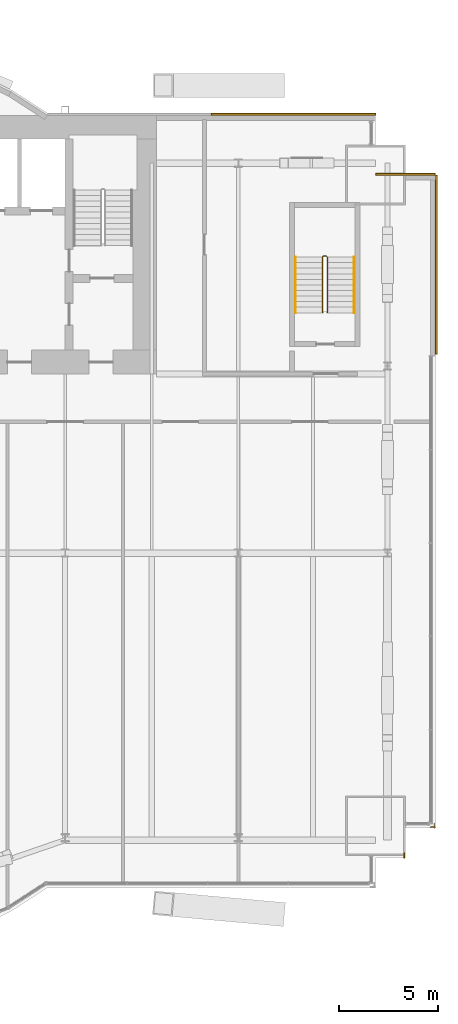
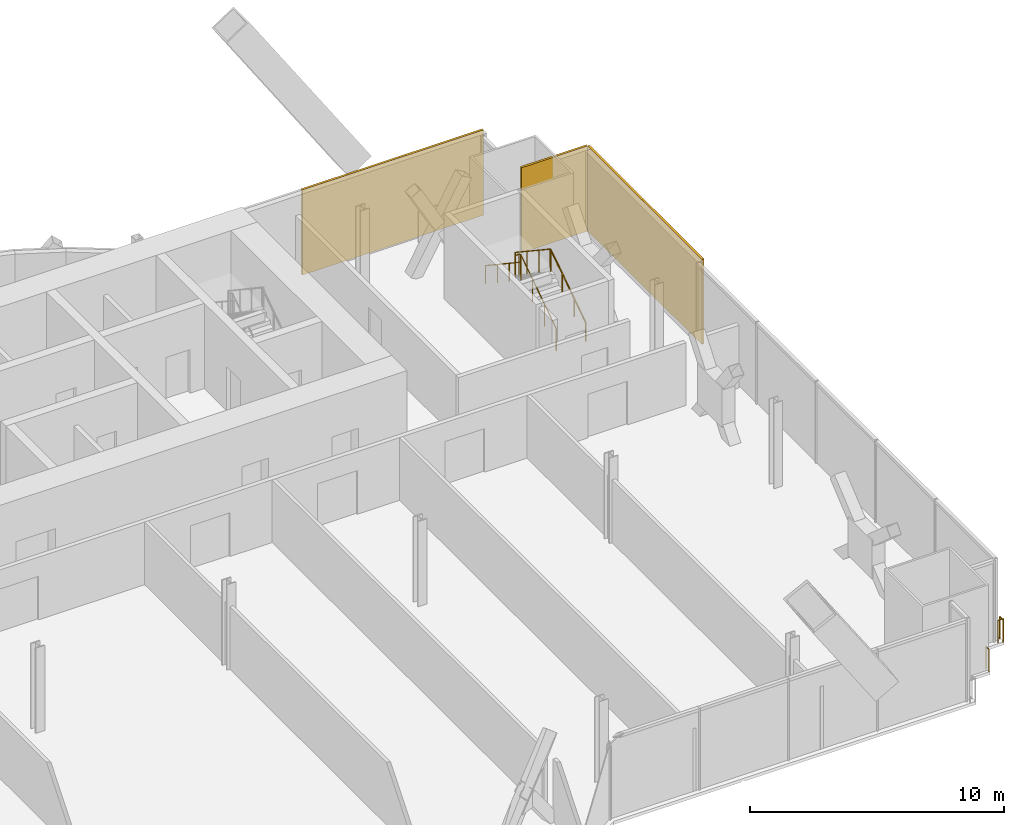
# One storey, part 22 of 22: 5 railings, 3 coverings.
"""IFC4 building model written with IfcOpenShell, lengths in metres."""

from ifc_helpers import new_model, si_unit, direction, frame, origin, origin_2d, place, context, subcontext, project, spatial, rectangle, circle, extrude, material, layer, layer_set, type_object, element, save


model = new_model("IFC4")

# Units and contexts
model_context = context("Model", 3, precision=1e-05, world=origin(), true_north=direction((0.0, 1.0)))
body_context = subcontext(model_context, "Body", "Model", "MODEL_VIEW")
ifc_project = project(units=[si_unit("LENGTHUNIT", "METRE"), si_unit("AREAUNIT", "SQUARE_METRE"), si_unit("VOLUMEUNIT", "CUBIC_METRE"), si_unit("PLANEANGLEUNIT", "RADIAN"), si_unit("MASSUNIT", "GRAM", prefix="KILO")], contexts=[model_context])

# Site, building, storey
site_placement = place(None, origin())
site = spatial("IfcSite", under=ifc_project, at=site_placement, CompositionType="ELEMENT")
building_placement = place(site_placement, origin())
building = spatial("IfcBuilding", under=site, at=building_placement, Name="Bicima Exchange Tower", CompositionType="ELEMENT")
storey_placement = place(building_placement, frame((0.0, 0.0, 94.0)))
storey = spatial("IfcBuildingStorey", under=building, at=storey_placement, Name="L19", CompositionType="ELEMENT", Elevation=94.0)

# Coverings
ifc_material_1 = material(Name="Bronze metal cladding")
ifc_layer_1 = layer(ifc_material_1, 0.004)
ifc_material_2 = material(Name="Ventilated cavity")
ifc_layer_2 = layer(ifc_material_2, 0.06)
ifc_material_3 = material(Name="Galvanised steel rail and mineral wool", Category="steel")
ifc_layer_3 = layer(ifc_material_3, 0.036)
ifc_layer_set = layer_set([ifc_layer_1, ifc_layer_2, ifc_layer_3], Name="Ventilated cavity")
covering_type = type_object("IfcCoveringType", Name="Bronze metal cladding panel 100", PredefinedType="CLADDING", material=ifc_layer_set)
covering_1_placement = place(storey_placement, frame((28.875, 0.050048828125, -0.150146484375), z_axis=(0.0, 0.0, 1.0), x_axis=(-1.0, 0.0, 0.0)))
element("IfcCovering", 1, at=covering_1_placement, inside=storey, type_object=covering_type, Name="Bronze cladding L19 1.1", PredefinedType="CLADDING", context=body_context, shape_type="SweptSolid", body=[
    extrude(rectangle(XDim=8.25, YDim=0.10009765625, at=origin_2d()), origin(), (0.0, 0.0, 1.0), 4.10009765625),
])
covering_2_placement = place(storey_placement, frame((36.050048828125, -7.5, -0.150146484375), z_axis=(0.0, 0.0, 1.0), x_axis=(0.0, 1.0, 0.0)))
element("IfcCovering", 2, at=covering_2_placement, inside=storey, type_object=covering_type, Name="Bronze cladding L19 50.1", PredefinedType="CLADDING", context=body_context, shape_type="SweptSolid", body=[
    extrude(rectangle(XDim=9.0, YDim=0.10009765625, at=origin_2d()), origin(), (0.0, 0.0, 1.0), 4.10009765625),
])
covering_3_placement = place(storey_placement, frame((34.5, -2.949951171875, -0.150146484375), z_axis=(0.0, 0.0, 1.0), x_axis=(-1.0, 0.0, 0.0)))
element("IfcCovering", 3, at=covering_3_placement, inside=storey, type_object=covering_type, Name="Bronze cladding L19 51.1", PredefinedType="CLADDING", context=body_context, shape_type="SweptSolid", body=[
    extrude(rectangle(XDim=3.0, YDim=0.10009765625, at=origin_2d()), origin(), (0.0, 0.0, 1.0), 4.10009765625),
])

# Railings
ifc_material_4 = material(Name="Stainless steel and bonded safety glass", Category="steel")
railing_type_1 = type_object("IfcRailingType", Name="Edge guard 1100", PredefinedType="GUARDRAIL", material=ifc_material_4)
railing_1_placement = place(storey_placement, frame((35.949951171875, -35.5791015625, 0.0)))
element("IfcRailing", 4, at=railing_1_placement, inside=storey, type_object=railing_type_1, Name="Edge guard L19 86", PredefinedType="GUARDRAIL", context=body_context, shape_type="SweptSolid", body=[
    extrude(circle(Radius=0.02392578125, at=origin_2d()), frame((0.0, 0.0, 1.076171875), z_axis=(0.0, -1.0, 0.0), x_axis=(1.0, 0.0, 0.0)), (0.0, 0.0, 1.0), 0.248779296875),
    extrude(circle(Radius=0.02392578125, at=origin_2d()), frame((0.0, -0.248779296875, 1.076171875), z_axis=(0.708833529934, 0.705375805398, 0.0), x_axis=(-0.705375805398, 0.708833529934, 0.0)), (0.0, 0.0, 1.0), 0.070556640625),
    extrude(circle(Radius=0.02392578125, at=origin_2d()), frame((0.050048828125, -0.198974609375, 1.076171875), z_axis=(-1.0, 0.0, 0.0), x_axis=(0.0, -1.0, 0.0)), (0.0, 0.0, 1.0), 0.25),
    extrude(circle(Radius=0.02099609375, at=origin_2d()), origin(), (0.0, 0.0, 1.0), 1.052001953125),
    extrude(circle(Radius=0.02099609375, at=origin_2d()), frame((0.0, -0.248779296875, 0.0)), (0.0, 0.0, 1.0), 1.052001953125),
    extrude(circle(Radius=0.02099609375, at=origin_2d()), frame((0.050048828125, -0.198974609375, 0.0)), (0.0, 0.0, 1.0), 1.052001953125),
    extrude(circle(Radius=0.02099609375, at=origin_2d()), frame((-0.199951171875, -0.198974609375, 0.0)), (0.0, 0.0, 1.0), 1.052001953125),
])
railing_2_placement = place(storey_placement, frame((34.449951171875, -37.077880859375, 0.0)))
element("IfcRailing", 5, at=railing_2_placement, inside=storey, type_object=railing_type_1, Name="Edge guard L19 87", PredefinedType="GUARDRAIL", context=body_context, shape_type="SweptSolid", body=[
    extrude(circle(Radius=0.02392578125, at=origin_2d()), frame((0.0, 0.0, 1.076171875), z_axis=(0.0, -1.0, 0.0), x_axis=(1.0, 0.0, 0.0)), (0.0, 0.0, 1.0), 0.25),
    extrude(circle(Radius=0.02099609375, at=origin_2d()), origin(), (0.0, 0.0, 1.0), 1.052001953125),
    extrude(circle(Radius=0.02099609375, at=origin_2d()), frame((0.0, -0.25, 0.0)), (0.0, 0.0, 1.0), 1.052001953125),
])
ifc_material_5 = material(Name="Stainless steel", Category="steel")
railing_type_2 = type_object("IfcRailingType", Name="Stair guard 1100", PredefinedType="GUARDRAIL", material=ifc_material_5)
railing_3_placement = place(storey_placement, frame((30.574951171875, -9.925048828125, 0.186279296875)))
element("IfcRailing", 6, at=railing_3_placement, inside=storey, type_object=railing_type_2, Name="L19 ST-EE stair guard 1", PredefinedType="GUARDRAIL", context=body_context, shape_type="SweptSolid", body=[
    extrude(circle(Radius=0.02392578125, at=origin_2d()), frame((0.0, 0.0, 1.076171875), z_axis=(0.0, 0.832452072856, 0.554097055034), x_axis=(-1.0, 0.0, 0.0)), (0.0, 0.0, 1.0), 3.363525390625),
    extrude(circle(Radius=0.02392578125, at=origin_2d()), frame((0.0, 2.800048828125, 2.93994140625), z_axis=(-0.707106781187, 0.707106781187, 0.0), x_axis=(-0.707106781187, -0.707106781187, 0.0)), (0.0, 0.0, 1.0), 0.07080078125),
    extrude(circle(Radius=0.02392578125, at=origin_2d()), frame((-0.050048828125, 2.85009765625, 2.93994140625), z_axis=(-1.0, 0.0, 0.0), x_axis=(0.0, -1.0, 0.0)), (0.0, 0.0, 1.0), 0.14990234375),
    extrude(circle(Radius=0.02392578125, at=origin_2d()), frame((-0.199951171875, 2.85009765625, 2.93994140625), z_axis=(-0.251157038772, -0.251157038772, 0.934794246747), x_axis=(0.707106781187, -0.707106781187, 0.0)), (0.0, 0.0, 1.0), 0.19921875),
    extrude(circle(Radius=0.02392578125, at=origin_2d()), frame((-0.25, 2.800048828125, 3.1259765625), z_axis=(0.0, -0.832452072856, 0.554097055034), x_axis=(1.0, 0.0, 0.0)), (0.0, 0.0, 1.0), 3.363525390625),
    extrude(circle(Radius=0.02099609375, at=origin_2d()), origin(), (0.0, 0.0, 1.0), 1.052001953125),
    extrude(circle(Radius=0.02099609375, at=origin_2d()), frame((0.0, 0.933349609375, 0.621337890625)), (0.0, 0.0, 1.0), 1.052001953125),
    extrude(circle(Radius=0.02099609375, at=origin_2d()), frame((0.0, 1.86669921875, 1.242431640625)), (0.0, 0.0, 1.0), 1.052001953125),
    extrude(circle(Radius=0.02099609375, at=origin_2d()), frame((0.0, 2.800048828125, 1.86376953125)), (0.0, 0.0, 1.0), 1.052001953125),
    extrude(circle(Radius=0.02099609375, at=origin_2d()), frame((-0.050048828125, 2.85009765625, 1.86376953125)), (0.0, 0.0, 1.0), 1.052001953125),
    extrude(circle(Radius=0.02099609375, at=origin_2d()), frame((-0.199951171875, 2.85009765625, 1.86376953125)), (0.0, 0.0, 1.0), 1.052001953125),
    extrude(circle(Radius=0.02099609375, at=origin_2d()), frame((-0.25, 2.800048828125, 2.050048828125)), (0.0, 0.0, 1.0), 1.052001953125),
    extrude(circle(Radius=0.02099609375, at=origin_2d()), frame((-0.25, 1.86669921875, 2.67138671875)), (0.0, 0.0, 1.0), 1.052001953125),
    extrude(circle(Radius=0.02099609375, at=origin_2d()), frame((-0.25, 0.933349609375, 3.29248046875)), (0.0, 0.0, 1.0), 1.052001953125),
    extrude(circle(Radius=0.02099609375, at=origin_2d()), frame((-0.25, 0.0, 3.913818359375)), (0.0, 0.0, 1.0), 1.052001953125),
])
railing_type_3 = type_object("IfcRailingType", Name="Stair handrail 900", PredefinedType="HANDRAIL", material=ifc_material_5)
railing_4_placement = place(storey_placement, frame((31.925048828125, -9.925048828125, 0.186279296875)))
element("IfcRailing", 7, at=railing_4_placement, inside=storey, type_object=railing_type_3, Name="L19 ST-EE stair handrail 1", PredefinedType="HANDRAIL", context=body_context, shape_type="SweptSolid", body=[
    extrude(circle(Radius=0.02392578125, at=origin_2d()), frame((0.0, 0.0, 0.8759765625), z_axis=(0.0, 0.832452072856, 0.554097055034), x_axis=(-1.0, 0.0, 0.0)), (0.0, 0.0, 1.0), 3.363525390625),
    extrude(circle(Radius=0.02099609375, at=origin_2d()), origin(), (0.0, 0.0, 1.0), 0.851806640625),
    extrude(circle(Radius=0.02099609375, at=origin_2d()), frame((0.0, 0.933349609375, 0.621337890625)), (0.0, 0.0, 1.0), 0.851806640625),
    extrude(circle(Radius=0.02099609375, at=origin_2d()), frame((0.0, 1.86669921875, 1.242431640625)), (0.0, 0.0, 1.0), 0.851806640625),
    extrude(circle(Radius=0.02099609375, at=origin_2d()), frame((0.0, 2.800048828125, 1.86376953125)), (0.0, 0.0, 1.0), 0.851806640625),
])
railing_5_placement = place(storey_placement, frame((28.97509765625, -7.125, 2.27685546875)))
element("IfcRailing", 8, at=railing_5_placement, inside=storey, type_object=railing_type_3, Name="L19 ST-EE stair handrail 2", PredefinedType="HANDRAIL", context=body_context, shape_type="SweptSolid", body=[
    extrude(circle(Radius=0.02392578125, at=origin_2d()), frame((0.0, 0.0, 0.8759765625), z_axis=(0.0, -0.832485552168, 0.554046753832), x_axis=(1.0, 0.0, 0.0)), (0.0, 0.0, 1.0), 3.363525390625),
    extrude(circle(Radius=0.02099609375, at=origin_2d()), origin(), (0.0, 0.0, 1.0), 0.851806640625),
    extrude(circle(Radius=0.02099609375, at=origin_2d()), frame((0.0, -0.933349609375, 0.62109375)), (0.0, 0.0, 1.0), 0.851806640625),
    extrude(circle(Radius=0.02099609375, at=origin_2d()), frame((0.0, -1.86669921875, 1.242431640625)), (0.0, 0.0, 1.0), 0.851806640625),
    extrude(circle(Radius=0.02099609375, at=origin_2d()), frame((0.0, -2.800048828125, 1.863525390625)), (0.0, 0.0, 1.0), 0.851806640625),
])

save(model, "model.ifc")
